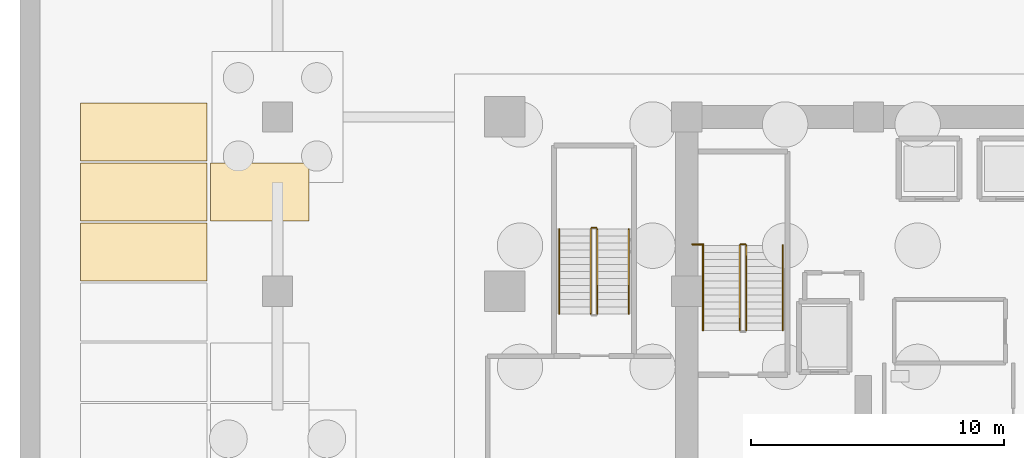
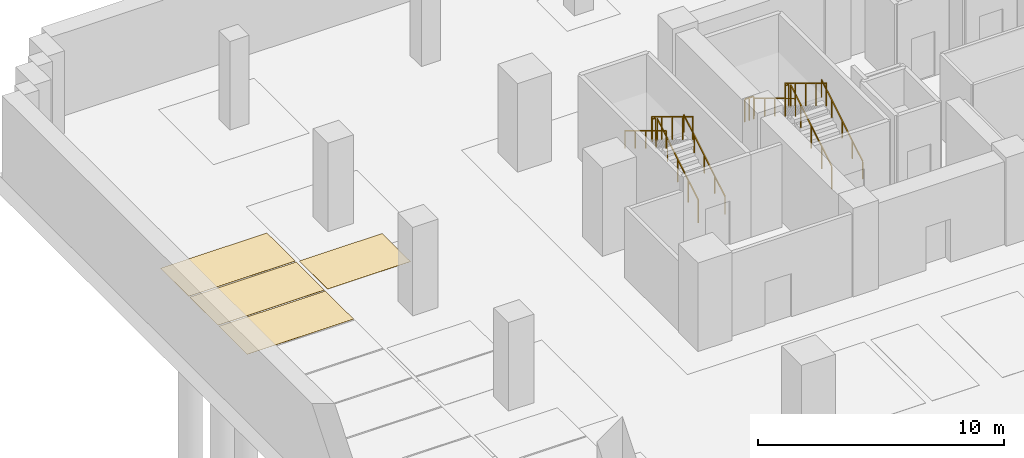
# One storey, part 10 of 13: 11 railings, 4 coverings.
"""IFC4 building model written with IfcOpenShell, lengths in metres."""

from ifc_helpers import new_model, si_unit, direction, frame, origin, origin_2d, place, context, subcontext, project, spatial, polyline, rectangle, outline, extrude, material, layer, layer_set, type_object, element, save


model = new_model("IFC4")

# Units and contexts
model_context = context("Model", 3, precision=1e-05, world=origin(), true_north=direction((0.0, 1.0)))
body_context = subcontext(model_context, "Body", "Model", "MODEL_VIEW")
ifc_project = project(units=[si_unit("LENGTHUNIT", "METRE"), si_unit("AREAUNIT", "SQUARE_METRE"), si_unit("VOLUMEUNIT", "CUBIC_METRE"), si_unit("PLANEANGLEUNIT", "RADIAN"), si_unit("MASSUNIT", "GRAM", prefix="KILO")], contexts=[model_context])

# Site, building, storey
site_placement = place(None, origin())
site = spatial("IfcSite", under=ifc_project, at=site_placement, CompositionType="ELEMENT")
building_placement = place(site_placement, origin())
building = spatial("IfcBuilding", under=site, at=building_placement, Name="Zarnakvel Exchange Tower", CompositionType="ELEMENT")
storey_placement = place(building_placement, frame((0.0, 0.0, -13.199951171875)))
storey = spatial("IfcBuildingStorey", under=building, at=storey_placement, Name="B03", CompositionType="ELEMENT", Elevation=-13.199951171875)

# Railings
ifc_material_1 = material(Name="Brushed Stainless Steel", Category="steel")
railing_type_1 = type_object("IfcRailingType", Name="HR-01", PredefinedType="HANDRAIL", material=ifc_material_1)
railing_1_placement = place(storey_placement, frame((-10.590087890625, 5.050048828125, 0.169189453125)))
element("IfcRailing", 1, at=railing_1_placement, inside=storey, type_object=railing_type_1, Name="B03 ST-01 stair handrail 1", PredefinedType="HANDRAIL", context=body_context, shape_type="SweptSolid", body=[
    extrude(rectangle(XDim=0.048095703125, YDim=0.048095703125, at=origin_2d()), frame((0.0, 0.0, 0.8759765625), z_axis=(0.0, 0.855820338506, 0.51727318527), x_axis=(-1.0, 0.0, 0.0)), (0.0, 0.0, 1.0), 3.92578125),
    extrude(rectangle(XDim=0.0419921875, YDim=0.0419921875, at=origin_2d()), origin(), (0.0, 0.0, 1.0), 0.851806640625),
    extrude(rectangle(XDim=0.0419921875, YDim=0.0419921875, at=origin_2d()), frame((0.0, 0.83984375, 0.5078125)), (0.0, 0.0, 1.0), 0.851806640625),
    extrude(rectangle(XDim=0.0419921875, YDim=0.0419921875, at=origin_2d()), frame((0.0, 1.679931640625, 1.015380859375)), (0.0, 0.0, 1.0), 0.851806640625),
    extrude(rectangle(XDim=0.0419921875, YDim=0.0419921875, at=origin_2d()), frame((0.0, 2.52001953125, 1.52294921875)), (0.0, 0.0, 1.0), 0.851806640625),
    extrude(rectangle(XDim=0.0419921875, YDim=0.0419921875, at=origin_2d()), frame((0.0, 3.35986328125, 2.03076171875)), (0.0, 0.0, 1.0), 0.851806640625),
])
railing_2_placement = place(storey_placement, frame((-13.75, 8.409912109375, 2.369140625)))
element("IfcRailing", 2, at=railing_2_placement, inside=storey, type_object=railing_type_1, Name="B03 ST-01 stair handrail 2", PredefinedType="HANDRAIL", context=body_context, shape_type="SweptSolid", body=[
    extrude(rectangle(XDim=0.048095703125, YDim=0.048095703125, at=origin_2d()), frame((0.0, 0.0, 0.8759765625), z_axis=(0.0, -0.855820338506, 0.51727318527), x_axis=(1.0, 0.0, 0.0)), (0.0, 0.0, 1.0), 3.92578125),
    extrude(rectangle(XDim=0.0419921875, YDim=0.0419921875, at=origin_2d()), origin(), (0.0, 0.0, 1.0), 0.851806640625),
    extrude(rectangle(XDim=0.0419921875, YDim=0.0419921875, at=origin_2d()), frame((0.0, -0.83984375, 0.5078125)), (0.0, 0.0, 1.0), 0.851806640625),
    extrude(rectangle(XDim=0.0419921875, YDim=0.0419921875, at=origin_2d()), frame((0.0, -1.679931640625, 1.015380859375)), (0.0, 0.0, 1.0), 0.851806640625),
    extrude(rectangle(XDim=0.0419921875, YDim=0.0419921875, at=origin_2d()), frame((0.0, -2.52001953125, 1.52294921875)), (0.0, 0.0, 1.0), 0.851806640625),
    extrude(rectangle(XDim=0.0419921875, YDim=0.0419921875, at=origin_2d()), frame((0.0, -3.35986328125, 2.03076171875)), (0.0, 0.0, 1.0), 0.851806640625),
])
railing_3_placement = place(storey_placement, frame((-16.68994140625, 5.699951171875, 0.169189453125)))
element("IfcRailing", 3, at=railing_3_placement, inside=storey, type_object=railing_type_1, Name="B03 ST-05 stair handrail 1", PredefinedType="HANDRAIL", context=body_context, shape_type="SweptSolid", body=[
    extrude(rectangle(XDim=0.048095703125, YDim=0.048095703125, at=origin_2d()), frame((0.0, 0.0, 0.8759765625), z_axis=(0.0, 0.855836976705, 0.517245656632), x_axis=(-1.0, 0.0, 0.0)), (0.0, 0.0, 1.0), 3.926025390625),
    extrude(rectangle(XDim=0.0419921875, YDim=0.0419921875, at=origin_2d()), origin(), (0.0, 0.0, 1.0), 0.851806640625),
    extrude(rectangle(XDim=0.0419921875, YDim=0.0419921875, at=origin_2d()), frame((0.0, 0.840087890625, 0.5078125)), (0.0, 0.0, 1.0), 0.851806640625),
    extrude(rectangle(XDim=0.0419921875, YDim=0.0419921875, at=origin_2d()), frame((0.0, 1.68017578125, 1.015380859375)), (0.0, 0.0, 1.0), 0.851806640625),
    extrude(rectangle(XDim=0.0419921875, YDim=0.0419921875, at=origin_2d()), frame((0.0, 2.52001953125, 1.52294921875)), (0.0, 0.0, 1.0), 0.851806640625),
    extrude(rectangle(XDim=0.0419921875, YDim=0.0419921875, at=origin_2d()), frame((0.0, 3.360107421875, 2.03076171875)), (0.0, 0.0, 1.0), 0.851806640625),
])
railing_4_placement = place(storey_placement, frame((-19.449951171875, 9.06005859375, 2.369140625)))
element("IfcRailing", 4, at=railing_4_placement, inside=storey, type_object=railing_type_1, Name="B03 ST-05 stair handrail 2", PredefinedType="HANDRAIL", context=body_context, shape_type="SweptSolid", body=[
    extrude(rectangle(XDim=0.048095703125, YDim=0.048095703125, at=origin_2d()), frame((0.0, 0.0, 0.8759765625), z_axis=(0.0, -0.855836976705, 0.517245656632), x_axis=(1.0, 0.0, 0.0)), (0.0, 0.0, 1.0), 3.926025390625),
    extrude(rectangle(XDim=0.0419921875, YDim=0.0419921875, at=origin_2d()), origin(), (0.0, 0.0, 1.0), 0.851806640625),
    extrude(rectangle(XDim=0.0419921875, YDim=0.0419921875, at=origin_2d()), frame((0.0, -0.840087890625, 0.5078125)), (0.0, 0.0, 1.0), 0.851806640625),
    extrude(rectangle(XDim=0.0419921875, YDim=0.0419921875, at=origin_2d()), frame((0.0, -1.68017578125, 1.015380859375)), (0.0, 0.0, 1.0), 0.851806640625),
    extrude(rectangle(XDim=0.0419921875, YDim=0.0419921875, at=origin_2d()), frame((0.0, -2.52001953125, 1.52294921875)), (0.0, 0.0, 1.0), 0.851806640625),
    extrude(rectangle(XDim=0.0419921875, YDim=0.0419921875, at=origin_2d()), frame((0.0, -3.360107421875, 2.03076171875)), (0.0, 0.0, 1.0), 0.851806640625),
])

# Coverings
ifc_material_2 = material(Name="Thermoplastic Acrylic Bay Marking", Category="finish")
ifc_layer = layer(ifc_material_2, 0.010009765625)
ifc_layer_set = layer_set([ifc_layer], Name="Thermoplastic Acrylic Bay Marking")
covering_type = type_object("IfcCoveringType", Name="MK-01", PredefinedType="FLOORING", material=ifc_layer_set)
covering_1_placement = place(storey_placement, origin())
element("IfcCovering", 5, at=covering_1_placement, inside=storey, type_object=covering_type, Name="B03 Standard Parking Bay Marking B03-33", PredefinedType="FLOORING", context=body_context, shape_type="SweptSolid", body=[
    extrude(outline(polyline([(-38.39990234375, 7.0), (-33.39990234375, 7.0), (-33.39990234375, 9.300048828125), (-38.39990234375, 9.300048828125), (-38.39990234375, 7.0)])), origin(), (0.0, 0.0, 1.0), 0.010009765625),
])
covering_2_placement = place(storey_placement, origin())
element("IfcCovering", 6, at=covering_2_placement, inside=storey, type_object=covering_type, Name="B03 Standard Parking Bay Marking B03-34", PredefinedType="FLOORING", context=body_context, shape_type="SweptSolid", body=[
    extrude(outline(polyline([(-38.39990234375, 9.3798828125), (-33.39990234375, 9.3798828125), (-33.39990234375, 11.679931640625), (-38.39990234375, 11.679931640625), (-38.39990234375, 9.3798828125)])), origin(), (0.0, 0.0, 1.0), 0.010009765625),
])
covering_3_placement = place(storey_placement, origin())
element("IfcCovering", 7, at=covering_3_placement, inside=storey, type_object=covering_type, Name="B03 Standard Parking Bay Marking B03-35", PredefinedType="FLOORING", context=body_context, shape_type="SweptSolid", body=[
    extrude(outline(polyline([(-38.39990234375, 11.760009765625), (-33.39990234375, 11.760009765625), (-33.39990234375, 14.06005859375), (-38.39990234375, 14.06005859375), (-38.39990234375, 11.760009765625)])), origin(), (0.0, 0.0, 1.0), 0.010009765625),
])
covering_4_placement = place(storey_placement, origin())
element("IfcCovering", 8, at=covering_4_placement, inside=storey, type_object=covering_type, Name="B03 Standard Parking Bay Marking B03-44", PredefinedType="FLOORING", context=body_context, shape_type="SweptSolid", body=[
    extrude(outline(polyline([(-33.25, 9.3798828125), (-29.35009765625, 9.3798828125), (-29.35009765625, 11.679931640625), (-33.25, 11.679931640625), (-33.25, 9.3798828125)])), origin(), (0.0, 0.0, 1.0), 0.010009765625),
])

# Railings
ifc_material_3 = material(Name="Architectural Bronze Anodised Aluminium", Category="aluminium")
railing_type_2 = type_object("IfcRailingType", Name="SG-01", PredefinedType="GUARDRAIL", material=ifc_material_3)
railing_5_placement = place(storey_placement, frame((-12.0400390625, 5.050048828125, 0.169189453125)))
element("IfcRailing", 9, at=railing_5_placement, inside=storey, type_object=railing_type_2, Name="B03 ST-01 stair guard 1", PredefinedType="GUARDRAIL", context=body_context, shape_type="SweptSolid", body=[
    extrude(rectangle(XDim=0.048095703125, YDim=0.048095703125, at=origin_2d()), frame((0.0, 0.0, 1.1259765625), z_axis=(0.0, 0.855820338506, 0.51727318527), x_axis=(-1.0, 0.0, 0.0)), (0.0, 0.0, 1.0), 3.92578125),
    extrude(rectangle(XDim=0.0419921875, YDim=0.0419921875, at=origin_2d()), origin(), (0.0, 0.0, 1.0), 1.101806640625),
    extrude(rectangle(XDim=0.0419921875, YDim=0.0419921875, at=origin_2d()), frame((0.0, 0.83984375, 0.5078125)), (0.0, 0.0, 1.0), 1.101806640625),
    extrude(rectangle(XDim=0.0419921875, YDim=0.0419921875, at=origin_2d()), frame((0.0, 1.679931640625, 1.015380859375)), (0.0, 0.0, 1.0), 1.101806640625),
    extrude(rectangle(XDim=0.0419921875, YDim=0.0419921875, at=origin_2d()), frame((0.0, 2.52001953125, 1.52294921875)), (0.0, 0.0, 1.0), 1.101806640625),
    extrude(rectangle(XDim=0.0419921875, YDim=0.0419921875, at=origin_2d()), frame((0.0, 3.35986328125, 2.03076171875)), (0.0, 0.0, 1.0), 1.101806640625),
])
railing_6_placement = place(storey_placement, frame((-12.090087890625, 8.4599609375, 2.199951171875)))
element("IfcRailing", 10, at=railing_6_placement, inside=storey, type_object=railing_type_2, Name="B03 ST-01 stair guard 2", PredefinedType="GUARDRAIL", context=body_context, shape_type="SweptSolid", body=[
    extrude(rectangle(XDim=0.048095703125, YDim=0.048095703125, at=origin_2d()), frame((0.0, 0.0, 1.1259765625), z_axis=(-1.0, 0.0, 0.0), x_axis=(0.0, -1.0, 0.0)), (0.0, 0.0, 1.0), 0.159912109375),
    extrude(rectangle(XDim=0.0419921875, YDim=0.0419921875, at=origin_2d()), origin(), (0.0, 0.0, 1.0), 1.101806640625),
    extrude(rectangle(XDim=0.0419921875, YDim=0.0419921875, at=origin_2d()), frame((-0.159912109375, 0.0, 0.0)), (0.0, 0.0, 1.0), 1.101806640625),
])
railing_7_placement = place(storey_placement, frame((-12.300048828125, 8.409912109375, 2.369140625)))
element("IfcRailing", 11, at=railing_7_placement, inside=storey, type_object=railing_type_2, Name="B03 ST-01 stair guard 3", PredefinedType="GUARDRAIL", context=body_context, shape_type="SweptSolid", body=[
    extrude(rectangle(XDim=0.048095703125, YDim=0.048095703125, at=origin_2d()), frame((0.0, 0.0, 1.1259765625), z_axis=(0.0, -0.855820338506, 0.51727318527), x_axis=(1.0, 0.0, 0.0)), (0.0, 0.0, 1.0), 3.92578125),
    extrude(rectangle(XDim=0.0419921875, YDim=0.0419921875, at=origin_2d()), origin(), (0.0, 0.0, 1.0), 1.101806640625),
    extrude(rectangle(XDim=0.0419921875, YDim=0.0419921875, at=origin_2d()), frame((0.0, -0.83984375, 0.5078125)), (0.0, 0.0, 1.0), 1.101806640625),
    extrude(rectangle(XDim=0.0419921875, YDim=0.0419921875, at=origin_2d()), frame((0.0, -1.679931640625, 1.015380859375)), (0.0, 0.0, 1.0), 1.101806640625),
    extrude(rectangle(XDim=0.0419921875, YDim=0.0419921875, at=origin_2d()), frame((0.0, -2.52001953125, 1.52294921875)), (0.0, 0.0, 1.0), 1.101806640625),
    extrude(rectangle(XDim=0.0419921875, YDim=0.0419921875, at=origin_2d()), frame((0.0, -3.35986328125, 2.03076171875)), (0.0, 0.0, 1.0), 1.101806640625),
])
railing_8_placement = place(storey_placement, frame((-14.179931640625, 8.449951171875, 2.199951171875)))
element("IfcRailing", 12, at=railing_8_placement, inside=storey, type_object=railing_type_2, Name="B03 ST-01 Landing Slot Guardrail", PredefinedType="GUARDRAIL", context=body_context, shape_type="SweptSolid", body=[
    extrude(rectangle(XDim=0.048095703125, YDim=0.048095703125, at=origin_2d()), frame((0.0, 0.0, 1.1259765625), z_axis=(1.0, 0.0, 0.0), x_axis=(0.0, 1.0, 0.0)), (0.0, 0.0, 1.0), 0.429931640625),
    extrude(rectangle(XDim=0.0419921875, YDim=0.0419921875, at=origin_2d()), origin(), (0.0, 0.0, 1.0), 1.101806640625),
    extrude(rectangle(XDim=0.0419921875, YDim=0.0419921875, at=origin_2d()), frame((0.21484375, 0.0, 0.0)), (0.0, 0.0, 1.0), 1.101806640625),
    extrude(rectangle(XDim=0.0419921875, YDim=0.0419921875, at=origin_2d()), frame((0.429931640625, 0.0, 0.0)), (0.0, 0.0, 1.0), 1.101806640625),
])
railing_9_placement = place(storey_placement, frame((-17.93994140625, 5.699951171875, 0.169189453125)))
element("IfcRailing", 13, at=railing_9_placement, inside=storey, type_object=railing_type_2, Name="B03 ST-05 stair guard 1", PredefinedType="GUARDRAIL", context=body_context, shape_type="SweptSolid", body=[
    extrude(rectangle(XDim=0.048095703125, YDim=0.048095703125, at=origin_2d()), frame((0.0, 0.0, 1.1259765625), z_axis=(0.0, 0.855836976705, 0.517245656632), x_axis=(-1.0, 0.0, 0.0)), (0.0, 0.0, 1.0), 3.926025390625),
    extrude(rectangle(XDim=0.0419921875, YDim=0.0419921875, at=origin_2d()), origin(), (0.0, 0.0, 1.0), 1.101806640625),
    extrude(rectangle(XDim=0.0419921875, YDim=0.0419921875, at=origin_2d()), frame((0.0, 0.840087890625, 0.5078125)), (0.0, 0.0, 1.0), 1.101806640625),
    extrude(rectangle(XDim=0.0419921875, YDim=0.0419921875, at=origin_2d()), frame((0.0, 1.68017578125, 1.015380859375)), (0.0, 0.0, 1.0), 1.101806640625),
    extrude(rectangle(XDim=0.0419921875, YDim=0.0419921875, at=origin_2d()), frame((0.0, 2.52001953125, 1.52294921875)), (0.0, 0.0, 1.0), 1.101806640625),
    extrude(rectangle(XDim=0.0419921875, YDim=0.0419921875, at=origin_2d()), frame((0.0, 3.360107421875, 2.03076171875)), (0.0, 0.0, 1.0), 1.101806640625),
])
railing_10_placement = place(storey_placement, frame((-17.989990234375, 9.110107421875, 2.199951171875)))
element("IfcRailing", 14, at=railing_10_placement, inside=storey, type_object=railing_type_2, Name="B03 ST-05 stair guard 2", PredefinedType="GUARDRAIL", context=body_context, shape_type="SweptSolid", body=[
    extrude(rectangle(XDim=0.048095703125, YDim=0.048095703125, at=origin_2d()), frame((0.0, 0.0, 1.1259765625), z_axis=(-1.0, 0.0, 0.0), x_axis=(0.0, -1.0, 0.0)), (0.0, 0.0, 1.0), 0.159912109375),
    extrude(rectangle(XDim=0.0419921875, YDim=0.0419921875, at=origin_2d()), origin(), (0.0, 0.0, 1.0), 1.101806640625),
    extrude(rectangle(XDim=0.0419921875, YDim=0.0419921875, at=origin_2d()), frame((-0.159912109375, 0.0, 0.0)), (0.0, 0.0, 1.0), 1.101806640625),
])
railing_11_placement = place(storey_placement, frame((-18.199951171875, 9.06005859375, 2.369140625)))
element("IfcRailing", 15, at=railing_11_placement, inside=storey, type_object=railing_type_2, Name="B03 ST-05 stair guard 3", PredefinedType="GUARDRAIL", context=body_context, shape_type="SweptSolid", body=[
    extrude(rectangle(XDim=0.048095703125, YDim=0.048095703125, at=origin_2d()), frame((0.0, 0.0, 1.1259765625), z_axis=(0.0, -0.855836976705, 0.517245656632), x_axis=(1.0, 0.0, 0.0)), (0.0, 0.0, 1.0), 3.926025390625),
    extrude(rectangle(XDim=0.0419921875, YDim=0.0419921875, at=origin_2d()), origin(), (0.0, 0.0, 1.0), 1.101806640625),
    extrude(rectangle(XDim=0.0419921875, YDim=0.0419921875, at=origin_2d()), frame((0.0, -0.840087890625, 0.5078125)), (0.0, 0.0, 1.0), 1.101806640625),
    extrude(rectangle(XDim=0.0419921875, YDim=0.0419921875, at=origin_2d()), frame((0.0, -1.68017578125, 1.015380859375)), (0.0, 0.0, 1.0), 1.101806640625),
    extrude(rectangle(XDim=0.0419921875, YDim=0.0419921875, at=origin_2d()), frame((0.0, -2.52001953125, 1.52294921875)), (0.0, 0.0, 1.0), 1.101806640625),
    extrude(rectangle(XDim=0.0419921875, YDim=0.0419921875, at=origin_2d()), frame((0.0, -3.360107421875, 2.03076171875)), (0.0, 0.0, 1.0), 1.101806640625),
])

save(model, "model.ifc")
